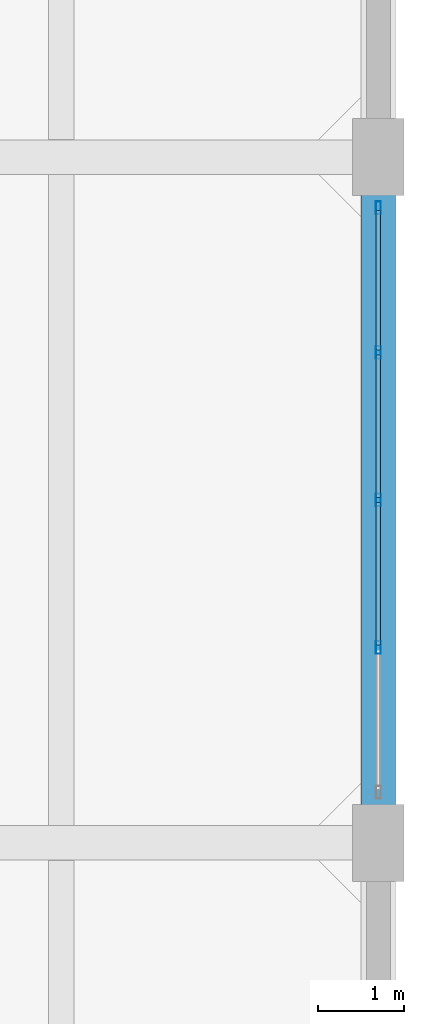
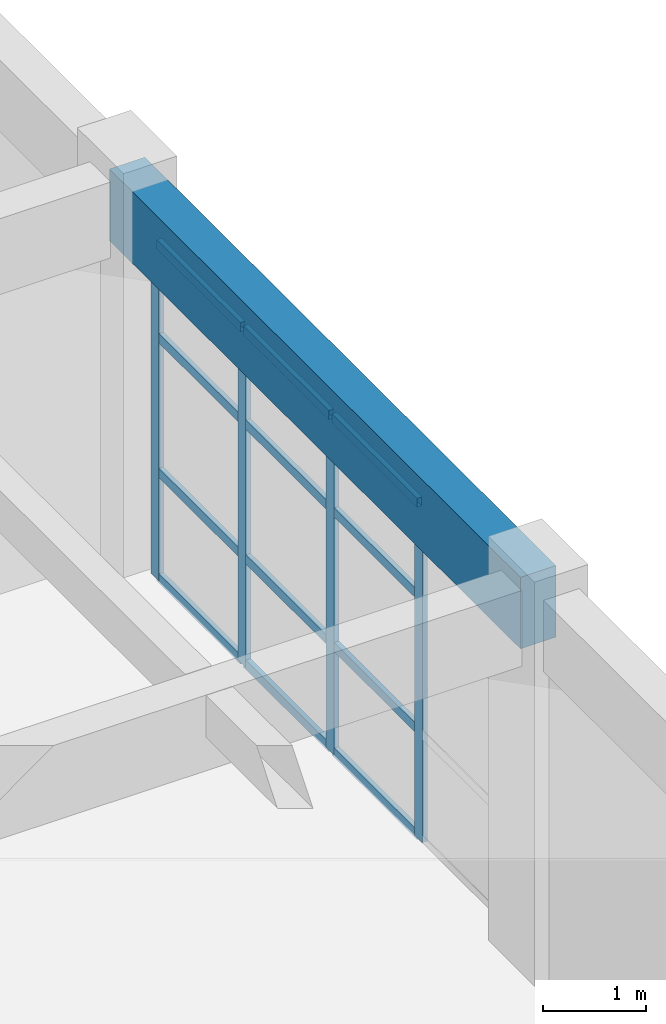
# One storey, part 38 of 63: 16 members, 1 beam, 1 element without a shape of its own.
"""IFC4 building model written with IfcOpenShell, lengths in metres."""

from ifc_helpers import new_model, si_unit, direction, frame, origin, origin_2d, place, context, subcontext, project, spatial, rectangle, hollow_rectangle, extrude, material, layer, layer_set, material_profile, profile_set, type_object, element, aggregate, save


model = new_model("IFC4")

# Units and contexts
model_context = context("Model", 3, precision=1e-05, world=origin(), true_north=direction((0.0, 1.0)))
body_context = subcontext(model_context, "Body", "Model", "MODEL_VIEW")
ifc_project = project(units=[si_unit("LENGTHUNIT", "METRE"), si_unit("AREAUNIT", "SQUARE_METRE"), si_unit("VOLUMEUNIT", "CUBIC_METRE"), si_unit("PLANEANGLEUNIT", "RADIAN"), si_unit("MASSUNIT", "GRAM", prefix="KILO")], contexts=[model_context])

# Site, building, storey
site_placement = place(None, origin())
site = spatial("IfcSite", under=ifc_project, at=site_placement, CompositionType="ELEMENT")
building_placement = place(site_placement, origin())
building = spatial("IfcBuilding", under=site, at=building_placement, Name="Canggui Botanical Conservatory", CompositionType="ELEMENT")
storey_placement = place(building_placement, frame((0.0, 0.0, 10.199951171875)))
storey = spatial("IfcBuildingStorey", under=building, at=storey_placement, Name="L03", CompositionType="ELEMENT", Elevation=10.199951171875)

# Beam
ifc_material_1 = material(Name="Concrete C35", Category="concrete")
ifc_material_profile_1 = material_profile(ifc_material_1, rectangle(XDim=0.39990234375, YDim=0.85009765625, at=origin_2d()), Name="RB 400x850")
ifc_profile_set_1 = profile_set([ifc_material_profile_1], Name="Concrete C35")
beam_type = type_object("IfcBeamType", Name="BM-KL08", PredefinedType="BEAM", material=ifc_profile_set_1)
beam_placement = place(storey_placement, frame((177.39990234375, 66.0, 4.125), z_axis=(0.0, 1.0, 0.0), x_axis=(-1.0, 0.0, 0.0)))
element("IfcBeam", 1, at=beam_placement, inside=storey, type_object=beam_type, Name="Frame Girder L03 X178-6", PredefinedType="BEAM", context=body_context, shape_type="SweptSolid", body=[
    extrude(rectangle(XDim=0.39990234375, YDim=0.85009765625, at=origin_2d()), origin(), (0.0, 0.0, 1.0), 8.0),
])

# Curtain wall, members
ifc_material_2 = material(Name="Thermally Broken Aluminium", Category="aluminium")
ifc_layer = layer(ifc_material_2, 0.14990234375, Name="Thermally Broken Aluminium", Category="aluminium")
ifc_layer_set = layer_set([ifc_layer], Name="Thermally Broken Aluminium")
curtain_wall_type = type_object("IfcCurtainWallType", Name="CW-UNIT-C", PredefinedType="USERDEFINED", material=ifc_layer_set)
curtain_wall_placement = place(storey_placement, origin())
curtain_wall = element("IfcCurtainWall", 2, at=curtain_wall_placement, inside=storey, type_object=curtain_wall_type, Name="Facade Curtain Wall CW-TWR-L03-21", ObjectType="UNITISED CURTAIN WALL", PredefinedType="USERDEFINED")
ifc_material_profile_2 = material_profile(ifc_material_2, hollow_rectangle(XDim=0.06005859375, YDim=0.14990234375, WallThickness=0.00341796875, at=origin_2d()), Name="CWM 60x150x3.5")
ifc_profile_set_2 = profile_set([ifc_material_profile_2], Name="Thermally Broken Aluminium")
member_type_1 = type_object("IfcMemberType", Name="CWM-03", PredefinedType="MULLION", material=ifc_profile_set_2)
member_1_placement = place(storey_placement, frame((177.39990234375, 73.409912109375, 0.0), z_axis=(0.0, 0.0, 1.0), x_axis=(1.0, 0.0, 0.0)))
member_1 = element("IfcMember", 3, at=member_1_placement, type_object=member_type_1, Name="CW-03 mullion 1", PredefinedType="MULLION", context=body_context, shape_type="SweptSolid", body=[
    extrude(hollow_rectangle(XDim=0.06005859375, YDim=0.14990234375, WallThickness=0.00341796875, at=origin_2d()), origin(), (0.0, 0.0, 1.0), 4.0),
])
member_2_placement = place(storey_placement, frame((177.39990234375, 71.719970703125, 0.0), z_axis=(0.0, 0.0, 1.0), x_axis=(1.0, 0.0, 0.0)))
member_2 = element("IfcMember", 4, at=member_2_placement, type_object=member_type_1, Name="CW-03 mullion 2", PredefinedType="MULLION", context=body_context, shape_type="SweptSolid", body=[
    extrude(hollow_rectangle(XDim=0.06005859375, YDim=0.14990234375, WallThickness=0.00341796875, at=origin_2d()), origin(), (0.0, 0.0, 1.0), 4.0),
])
member_3_placement = place(storey_placement, frame((177.39990234375, 70.0, 0.0), z_axis=(0.0, 0.0, 1.0), x_axis=(1.0, 0.0, 0.0)))
member_3 = element("IfcMember", 5, at=member_3_placement, type_object=member_type_1, Name="CW-03 mullion 3", PredefinedType="MULLION", context=body_context, shape_type="SweptSolid", body=[
    extrude(hollow_rectangle(XDim=0.06005859375, YDim=0.14990234375, WallThickness=0.00341796875, at=origin_2d()), origin(), (0.0, 0.0, 1.0), 4.0),
])
member_4_placement = place(storey_placement, frame((177.39990234375, 68.280029296875, 0.0), z_axis=(0.0, 0.0, 1.0), x_axis=(1.0, 0.0, 0.0)))
member_4 = element("IfcMember", 6, at=member_4_placement, type_object=member_type_1, Name="CW-03 mullion 4", PredefinedType="MULLION", context=body_context, shape_type="SweptSolid", body=[
    extrude(hollow_rectangle(XDim=0.06005859375, YDim=0.14990234375, WallThickness=0.00341796875, at=origin_2d()), origin(), (0.0, 0.0, 1.0), 4.0),
])
ifc_material_profile_3 = material_profile(ifc_material_2, hollow_rectangle(XDim=0.054931640625, YDim=0.110107421875, WallThickness=0.0029296875, at=origin_2d()), Name="CWT 55x110x3")
ifc_profile_set_3 = profile_set([ifc_material_profile_3], Name="Thermally Broken Aluminium")
member_type_2 = type_object("IfcMemberType", Name="CWT-03", PredefinedType="USERDEFINED", material=ifc_profile_set_3)
member_5_placement = place(storey_placement, frame((177.39990234375, 73.3798828125, 0.027587890625), z_axis=(0.0, -1.0, 0.0), x_axis=(1.0, 0.0, 0.0)))
member_5 = element("IfcMember", 7, at=member_5_placement, type_object=member_type_2, Name="CW-03 transom 1.1", ObjectType="TRANSOM", PredefinedType="USERDEFINED", context=body_context, shape_type="SweptSolid", body=[
    extrude(hollow_rectangle(XDim=0.054931640625, YDim=0.110107421875, WallThickness=0.0029296875, at=origin_2d()), origin(), (0.0, 0.0, 1.0), 1.6298828125),
])
member_6_placement = place(storey_placement, frame((177.39990234375, 73.3798828125, 1.280029296875), z_axis=(0.0, -1.0, 0.0), x_axis=(1.0, 0.0, 0.0)))
member_6 = element("IfcMember", 8, at=member_6_placement, type_object=member_type_2, Name="CW-03 transom 1.2", ObjectType="TRANSOM", PredefinedType="USERDEFINED", context=body_context, shape_type="SweptSolid", body=[
    extrude(hollow_rectangle(XDim=0.054931640625, YDim=0.110107421875, WallThickness=0.0029296875, at=origin_2d()), origin(), (0.0, 0.0, 1.0), 1.6298828125),
])
member_7_placement = place(storey_placement, frame((177.39990234375, 73.3798828125, 2.880126953125), z_axis=(0.0, -1.0, 0.0), x_axis=(1.0, 0.0, 0.0)))
member_7 = element("IfcMember", 9, at=member_7_placement, type_object=member_type_2, Name="CW-03 transom 1.3", ObjectType="TRANSOM", PredefinedType="USERDEFINED", context=body_context, shape_type="SweptSolid", body=[
    extrude(hollow_rectangle(XDim=0.054931640625, YDim=0.110107421875, WallThickness=0.0029296875, at=origin_2d()), origin(), (0.0, 0.0, 1.0), 1.6298828125),
])
member_8_placement = place(storey_placement, frame((177.39990234375, 73.3798828125, 3.97265625), z_axis=(0.0, -1.0, 0.0), x_axis=(1.0, 0.0, 0.0)))
member_8 = element("IfcMember", 10, at=member_8_placement, type_object=member_type_2, Name="CW-03 transom 1.4", ObjectType="TRANSOM", PredefinedType="USERDEFINED", context=body_context, shape_type="SweptSolid", body=[
    extrude(hollow_rectangle(XDim=0.054931640625, YDim=0.110107421875, WallThickness=0.0029296875, at=origin_2d()), origin(), (0.0, 0.0, 1.0), 1.6298828125),
])
member_9_placement = place(storey_placement, frame((177.39990234375, 71.68994140625, 0.027587890625), z_axis=(0.0, -1.0, 0.0), x_axis=(1.0, 0.0, 0.0)))
member_9 = element("IfcMember", 11, at=member_9_placement, type_object=member_type_2, Name="CW-03 transom 2.1", ObjectType="TRANSOM", PredefinedType="USERDEFINED", context=body_context, shape_type="SweptSolid", body=[
    extrude(hollow_rectangle(XDim=0.054931640625, YDim=0.110107421875, WallThickness=0.0029296875, at=origin_2d()), origin(), (0.0, 0.0, 1.0), 1.659912109375),
])
member_10_placement = place(storey_placement, frame((177.39990234375, 71.68994140625, 1.280029296875), z_axis=(0.0, -1.0, 0.0), x_axis=(1.0, 0.0, 0.0)))
member_10 = element("IfcMember", 12, at=member_10_placement, type_object=member_type_2, Name="CW-03 transom 2.2", ObjectType="TRANSOM", PredefinedType="USERDEFINED", context=body_context, shape_type="SweptSolid", body=[
    extrude(hollow_rectangle(XDim=0.054931640625, YDim=0.110107421875, WallThickness=0.0029296875, at=origin_2d()), origin(), (0.0, 0.0, 1.0), 1.659912109375),
])
member_11_placement = place(storey_placement, frame((177.39990234375, 71.68994140625, 2.880126953125), z_axis=(0.0, -1.0, 0.0), x_axis=(1.0, 0.0, 0.0)))
member_11 = element("IfcMember", 13, at=member_11_placement, type_object=member_type_2, Name="CW-03 transom 2.3", ObjectType="TRANSOM", PredefinedType="USERDEFINED", context=body_context, shape_type="SweptSolid", body=[
    extrude(hollow_rectangle(XDim=0.054931640625, YDim=0.110107421875, WallThickness=0.0029296875, at=origin_2d()), origin(), (0.0, 0.0, 1.0), 1.659912109375),
])
member_12_placement = place(storey_placement, frame((177.39990234375, 71.68994140625, 3.97265625), z_axis=(0.0, -1.0, 0.0), x_axis=(1.0, 0.0, 0.0)))
member_12 = element("IfcMember", 14, at=member_12_placement, type_object=member_type_2, Name="CW-03 transom 2.4", ObjectType="TRANSOM", PredefinedType="USERDEFINED", context=body_context, shape_type="SweptSolid", body=[
    extrude(hollow_rectangle(XDim=0.054931640625, YDim=0.110107421875, WallThickness=0.0029296875, at=origin_2d()), origin(), (0.0, 0.0, 1.0), 1.659912109375),
])
member_13_placement = place(storey_placement, frame((177.39990234375, 69.969970703125, 0.027587890625), z_axis=(0.0, -1.0, 0.0), x_axis=(1.0, 0.0, 0.0)))
member_13 = element("IfcMember", 15, at=member_13_placement, type_object=member_type_2, Name="CW-03 transom 3.1", ObjectType="TRANSOM", PredefinedType="USERDEFINED", context=body_context, shape_type="SweptSolid", body=[
    extrude(hollow_rectangle(XDim=0.054931640625, YDim=0.110107421875, WallThickness=0.0029296875, at=origin_2d()), origin(), (0.0, 0.0, 1.0), 1.659912109375),
])
member_14_placement = place(storey_placement, frame((177.39990234375, 69.969970703125, 1.280029296875), z_axis=(0.0, -1.0, 0.0), x_axis=(1.0, 0.0, 0.0)))
member_14 = element("IfcMember", 16, at=member_14_placement, type_object=member_type_2, Name="CW-03 transom 3.2", ObjectType="TRANSOM", PredefinedType="USERDEFINED", context=body_context, shape_type="SweptSolid", body=[
    extrude(hollow_rectangle(XDim=0.054931640625, YDim=0.110107421875, WallThickness=0.0029296875, at=origin_2d()), origin(), (0.0, 0.0, 1.0), 1.659912109375),
])
member_15_placement = place(storey_placement, frame((177.39990234375, 69.969970703125, 2.880126953125), z_axis=(0.0, -1.0, 0.0), x_axis=(1.0, 0.0, 0.0)))
member_15 = element("IfcMember", 17, at=member_15_placement, type_object=member_type_2, Name="CW-03 transom 3.3", ObjectType="TRANSOM", PredefinedType="USERDEFINED", context=body_context, shape_type="SweptSolid", body=[
    extrude(hollow_rectangle(XDim=0.054931640625, YDim=0.110107421875, WallThickness=0.0029296875, at=origin_2d()), origin(), (0.0, 0.0, 1.0), 1.659912109375),
])
member_16_placement = place(storey_placement, frame((177.39990234375, 69.969970703125, 3.97265625), z_axis=(0.0, -1.0, 0.0), x_axis=(1.0, 0.0, 0.0)))
member_16 = element("IfcMember", 18, at=member_16_placement, type_object=member_type_2, Name="CW-03 transom 3.4", ObjectType="TRANSOM", PredefinedType="USERDEFINED", context=body_context, shape_type="SweptSolid", body=[
    extrude(hollow_rectangle(XDim=0.054931640625, YDim=0.110107421875, WallThickness=0.0029296875, at=origin_2d()), origin(), (0.0, 0.0, 1.0), 1.659912109375),
])
aggregate(curtain_wall, [member_1, member_2, member_3, member_4, member_5, member_6, member_7, member_8, member_9, member_10, member_11, member_12, member_13, member_14, member_15, member_16])

save(model, "model.ifc")
